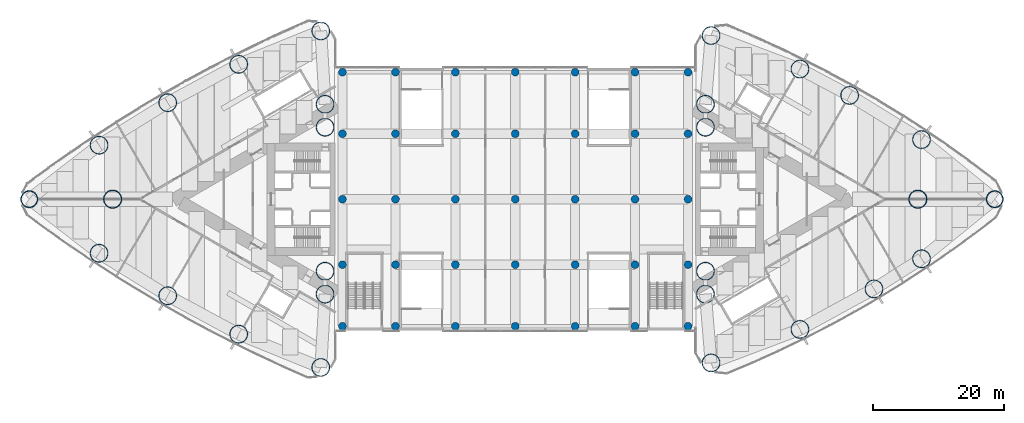
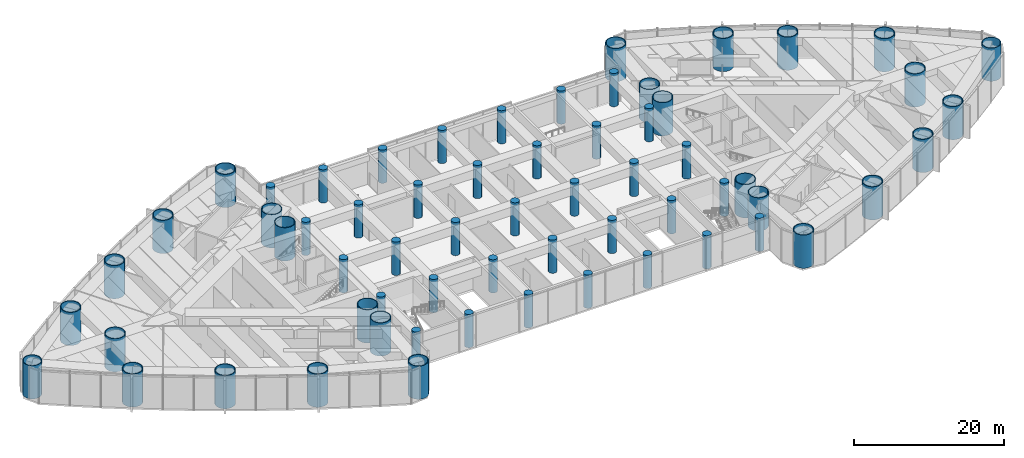
# One storey, part 1 of 20: 63 columns.
"""IFC4 building model written with IfcOpenShell, lengths in metres."""

from ifc_helpers import new_model, si_unit, direction, frame, origin, origin_2d, place, context, subcontext, project, spatial, circle, hollow_circle, extrude, material, material_profile, profile_set, type_object, element, save


model = new_model("IFC4")

# Units and contexts
model_context = context("Model", 3, precision=1e-05, world=origin(), true_north=direction((0.0, 1.0)))
body_context = subcontext(model_context, "Body", "Model", "MODEL_VIEW")
ifc_project = project(units=[si_unit("LENGTHUNIT", "METRE"), si_unit("AREAUNIT", "SQUARE_METRE"), si_unit("VOLUMEUNIT", "CUBIC_METRE"), si_unit("PLANEANGLEUNIT", "RADIAN"), si_unit("MASSUNIT", "GRAM", prefix="KILO")], contexts=[model_context])

# Site, building, storey
site_placement = place(None, origin())
site = spatial("IfcSite", under=ifc_project, at=site_placement, CompositionType="ELEMENT")
building_placement = place(site_placement, origin())
building = spatial("IfcBuilding", under=site, at=building_placement, Name="Lancet Gate Hotel", CompositionType="ELEMENT")
storey_placement = place(building_placement, frame((0.0, 0.0, 7.199951171875)))
storey = spatial("IfcBuildingStorey", under=building, at=storey_placement, Name="L01", CompositionType="ELEMENT", Elevation=7.199951171875)

# Columns
ifc_material_1 = material(Name="Composite filled tube, grade 460 plate, grade 80/95 fill", Category="composite")
ifc_material_profile_1 = material_profile(ifc_material_1, hollow_circle(Radius=1.39990234375, WallThickness=0.10009765625, at=origin_2d()), Name="CHS 2800x100")
ifc_profile_set_1 = profile_set([ifc_material_profile_1], Name="Composite filled tube, grade 460 plate, grade 80/95 fill")
column_type_1 = type_object("IfcColumnType", Name="Apex column CFT CHS 2800x100", PredefinedType="COLUMN", material=ifc_profile_set_1)
for number, where, z_axis, x_axis, name in (
    (1, (-61.5, 0.0, 0.0), (0.0, 0.0, 1.0), (1.0, 0.0, 0.0), "T1 column AX L01"),
    (2, (61.5, 0.0, 0.0), (0.0, 0.0, 1.0), (1.0, 0.0, 0.0), "T2 column AX L01"),
):
    element("IfcColumn", number, at=place(storey_placement, frame(where, z_axis=z_axis, x_axis=x_axis)), inside=storey, type_object=column_type_1, Name=name, PredefinedType="COLUMN", context=body_context, shape_type="SweptSolid", body=[
        extrude(hollow_circle(Radius=1.39990234375, WallThickness=0.10009765625, at=origin_2d()), origin(), (0.0, 0.0, 1.0), 5.400146484375),
    ])
ifc_material_2 = material(Name="Composite filled tube, grade 460 plate, grade 80/95 fill", Category="composite")
ifc_material_profile_2 = material_profile(ifc_material_2, hollow_circle(Radius=1.300048828125, WallThickness=0.10009765625, at=origin_2d()), Name="CHS 2600x100")
ifc_profile_set_2 = profile_set([ifc_material_profile_2], Name="Composite filled tube, grade 460 plate, grade 80/95 fill")
column_type_2 = type_object("IfcColumnType", Name="Apex corner column CFT CHS 2600x100", PredefinedType="COLUMN", material=ifc_profile_set_2)
for number, where, z_axis, x_axis, name in (
    (3, (-74.235107421875, 0.0, 0.0), (0.0, 0.0, 1.0), (1.0, 0.0, 0.0), "T1 column CA L01"),
    (4, (73.2392578125, 0.0, 0.0), (0.0, 0.0, 1.0), (1.0, 0.0, 0.0), "T2 column CA L01"),
):
    element("IfcColumn", number, at=place(storey_placement, frame(where, z_axis=z_axis, x_axis=x_axis)), inside=storey, type_object=column_type_2, Name=name, PredefinedType="COLUMN", context=body_context, shape_type="SweptSolid", body=[
        extrude(hollow_circle(Radius=1.300048828125, WallThickness=0.10009765625, at=origin_2d()), origin(), (0.0, 0.0, 1.0), 5.400146484375),
    ])
ifc_material_3 = material(Name="Composite filled tube, grade 460 plate, grade 80/95 fill", Category="composite")
ifc_material_profile_3 = material_profile(ifc_material_3, hollow_circle(Radius=1.39990234375, WallThickness=0.1201171875, at=origin_2d()), Name="CHS 2800x120")
ifc_profile_set_3 = profile_set([ifc_material_profile_3], Name="Composite filled tube, grade 460 plate, grade 80/95 fill")
column_type_3 = type_object("IfcColumnType", Name="Perimeter column CFT CHS 2800x120", PredefinedType="COLUMN", material=ifc_profile_set_3)
for number, where, z_axis, x_axis, name in (
    (5, (-29.703369140625, -25.70263671875, 0.0), (0.0, 0.0, 1.0), (1.0, 0.0, 0.0), "T1 column CN L01"),
    (6, (-29.703369140625, 25.70263671875, 0.0), (0.0, 0.0, 1.0), (1.0, 0.0, 0.0), "T1 column CS L01"),
    (7, (-29.050048828125, -11.0, 0.0), (0.0, 0.0, 1.0), (1.0, 0.0, 0.0), "T1 column IN L01"),
    (8, (-29.050048828125, 11.0, 0.0), (0.0, 0.0, 1.0), (1.0, 0.0, 0.0), "T1 column IS L01"),
    (9, (-29.050048828125, 14.5, 0.0), (0.0, 0.0, 1.0), (1.0, 0.0, 0.0), "T1 column IT L01"),
    (10, (-29.050048828125, -14.5, 0.0), (0.0, 0.0, 1.0), (1.0, 0.0, 0.0), "T1 column JT L01"),
    (11, (-63.57177734375, -8.255126953125, 0.0), (0.0, 0.0, 1.0), (1.0, 0.0, 0.0), "T1 column ON1 L01"),
    (12, (-53.090087890625, -14.744873046875, 0.0), (0.0, 0.0, 1.0), (1.0, 0.0, 0.0), "T1 column ON2 L01"),
    (13, (-42.2451171875, -20.607421875, 0.0), (0.0, 0.0, 1.0), (1.0, 0.0, 0.0), "T1 column ON3 L01"),
    (14, (-42.2451171875, 20.607421875, 0.0), (0.0, 0.0, 1.0), (1.0, 0.0, 0.0), "T1 column OS1 L01"),
    (15, (-53.090087890625, 14.744873046875, 0.0), (0.0, 0.0, 1.0), (1.0, 0.0, 0.0), "T1 column OS2 L01"),
    (16, (-63.57177734375, 8.255126953125, 0.0), (0.0, 0.0, 1.0), (1.0, 0.0, 0.0), "T1 column OS3 L01"),
    (17, (29.9111328125, 25.00244140625, 0.0), (0.0, 0.0, 1.0), (1.0, 0.0, 0.0), "T2 column CN L01"),
    (18, (29.9111328125, -25.00244140625, 0.0), (0.0, 0.0, 1.0), (1.0, 0.0, 0.0), "T2 column CS L01"),
    (19, (29.050048828125, 11.0, 0.0), (0.0, 0.0, 1.0), (1.0, 0.0, 0.0), "T2 column IN L01"),
    (20, (29.050048828125, -11.0, 0.0), (0.0, 0.0, 1.0), (1.0, 0.0, 0.0), "T2 column IS L01"),
    (21, (29.050048828125, -14.5, 0.0), (0.0, 0.0, 1.0), (1.0, 0.0, 0.0), "T2 column IT L01"),
    (22, (29.050048828125, 14.5, 0.0), (0.0, 0.0, 1.0), (1.0, 0.0, 0.0), "T2 column JT L01"),
    (23, (62.059326171875, 9.10498046875, 0.0), (0.0, 0.0, 1.0), (1.0, 0.0, 0.0), "T2 column ON1 L01"),
    (24, (51.07763671875, 15.8583984375, 0.0), (0.0, 0.0, 1.0), (1.0, 0.0, 0.0), "T2 column ON2 L01"),
    (25, (43.484130859375, 19.886474609375, 0.0), (0.0, 0.0, 1.0), (1.0, 0.0, 0.0), "T2 column ON3 L01"),
    (26, (43.484130859375, -19.886474609375, 0.0), (0.0, 0.0, 1.0), (1.0, 0.0, 0.0), "T2 column OS1 L01"),
    (27, (54.795166015625, -13.70068359375, 0.0), (0.0, 0.0, 1.0), (1.0, 0.0, 0.0), "T2 column OS2 L01"),
    (28, (62.059326171875, -9.10498046875, 0.0), (0.0, 0.0, 1.0), (1.0, 0.0, 0.0), "T2 column OS3 L01"),
):
    element("IfcColumn", number, at=place(storey_placement, frame(where, z_axis=z_axis, x_axis=x_axis)), inside=storey, type_object=column_type_3, Name=name, PredefinedType="COLUMN", context=body_context, shape_type="SweptSolid", body=[
        extrude(hollow_circle(Radius=1.39990234375, WallThickness=0.1201171875, at=origin_2d()), origin(), (0.0, 0.0, 1.0), 5.400146484375),
    ])
ifc_material_4 = material(Name="Concrete C60/75", Category="concrete")
ifc_material_profile_4 = material_profile(ifc_material_4, circle(Radius=0.60009765625, at=origin_2d()), Name="RC D1200")
ifc_profile_set_4 = profile_set([ifc_material_profile_4], Name="Concrete C60/75")
column_type_4 = type_object("IfcColumnType", Name="Podium column RC D1200", PredefinedType="COLUMN", material=ifc_profile_set_4)
for number, where, z_axis, x_axis, name in (
    (29, (-26.39990234375, -19.39990234375, 0.0), (0.0, 0.0, 1.0), (1.0, 0.0, 0.0), "Podium column 1A L01"),
    (30, (-26.39990234375, -10.0, 0.0), (0.0, 0.0, 1.0), (1.0, 0.0, 0.0), "Podium column 1B L01"),
    (31, (-26.39990234375, 0.0, 0.0), (0.0, 0.0, 1.0), (1.0, 0.0, 0.0), "Podium column 1C L01"),
    (32, (-26.39990234375, 10.0, 0.0), (0.0, 0.0, 1.0), (1.0, 0.0, 0.0), "Podium column 1D L01"),
    (33, (-26.39990234375, 19.39990234375, 0.0), (0.0, 0.0, 1.0), (1.0, 0.0, 0.0), "Podium column 1E L01"),
    (34, (-18.300048828125, -19.39990234375, 0.0), (0.0, 0.0, 1.0), (1.0, 0.0, 0.0), "Podium column 2A L01"),
    (35, (-18.300048828125, -10.0, 0.0), (0.0, 0.0, 1.0), (1.0, 0.0, 0.0), "Podium column 2B L01"),
    (36, (-18.300048828125, 0.0, 0.0), (0.0, 0.0, 1.0), (1.0, 0.0, 0.0), "Podium column 2C L01"),
    (37, (-18.300048828125, 10.0, 0.0), (0.0, 0.0, 1.0), (1.0, 0.0, 0.0), "Podium column 2D L01"),
    (38, (-18.300048828125, 19.39990234375, 0.0), (0.0, 0.0, 1.0), (1.0, 0.0, 0.0), "Podium column 2E L01"),
    (39, (-9.14990234375, -19.39990234375, 0.0), (0.0, 0.0, 1.0), (1.0, 0.0, 0.0), "Podium column 3A L01"),
    (40, (-9.14990234375, -10.0, 0.0), (0.0, 0.0, 1.0), (1.0, 0.0, 0.0), "Podium column 3B L01"),
    (41, (-9.14990234375, 0.0, 0.0), (0.0, 0.0, 1.0), (1.0, 0.0, 0.0), "Podium column 3C L01"),
    (42, (-9.14990234375, 10.0, 0.0), (0.0, 0.0, 1.0), (1.0, 0.0, 0.0), "Podium column 3D L01"),
    (43, (-9.14990234375, 19.39990234375, 0.0), (0.0, 0.0, 1.0), (1.0, 0.0, 0.0), "Podium column 3E L01"),
    (44, (0.0, -19.39990234375, 0.0), (0.0, 0.0, 1.0), (1.0, 0.0, 0.0), "Podium column 4A L01"),
    (45, (0.0, -10.0, 0.0), (0.0, 0.0, 1.0), (1.0, 0.0, 0.0), "Podium column 4B L01"),
    (46, (0.0, 0.0, 0.0), (0.0, 0.0, 1.0), (1.0, 0.0, 0.0), "Podium column 4C L01"),
    (47, (0.0, 10.0, 0.0), (0.0, 0.0, 1.0), (1.0, 0.0, 0.0), "Podium column 4D L01"),
    (48, (0.0, 19.39990234375, 0.0), (0.0, 0.0, 1.0), (1.0, 0.0, 0.0), "Podium column 4E L01"),
    (49, (9.14990234375, -19.39990234375, 0.0), (0.0, 0.0, 1.0), (1.0, 0.0, 0.0), "Podium column 5A L01"),
    (50, (9.14990234375, -10.0, 0.0), (0.0, 0.0, 1.0), (1.0, 0.0, 0.0), "Podium column 5B L01"),
    (51, (9.14990234375, 0.0, 0.0), (0.0, 0.0, 1.0), (1.0, 0.0, 0.0), "Podium column 5C L01"),
    (52, (9.14990234375, 10.0, 0.0), (0.0, 0.0, 1.0), (1.0, 0.0, 0.0), "Podium column 5D L01"),
    (53, (9.14990234375, 19.39990234375, 0.0), (0.0, 0.0, 1.0), (1.0, 0.0, 0.0), "Podium column 5E L01"),
    (54, (18.300048828125, -19.39990234375, 0.0), (0.0, 0.0, 1.0), (1.0, 0.0, 0.0), "Podium column 6A L01"),
    (55, (18.300048828125, -10.0, 0.0), (0.0, 0.0, 1.0), (1.0, 0.0, 0.0), "Podium column 6B L01"),
    (56, (18.300048828125, 0.0, 0.0), (0.0, 0.0, 1.0), (1.0, 0.0, 0.0), "Podium column 6C L01"),
    (57, (18.300048828125, 10.0, 0.0), (0.0, 0.0, 1.0), (1.0, 0.0, 0.0), "Podium column 6D L01"),
    (58, (18.300048828125, 19.39990234375, 0.0), (0.0, 0.0, 1.0), (1.0, 0.0, 0.0), "Podium column 6E L01"),
    (59, (26.39990234375, -19.39990234375, 0.0), (0.0, 0.0, 1.0), (1.0, 0.0, 0.0), "Podium column 7A L01"),
    (60, (26.39990234375, -10.0, 0.0), (0.0, 0.0, 1.0), (1.0, 0.0, 0.0), "Podium column 7B L01"),
    (61, (26.39990234375, 0.0, 0.0), (0.0, 0.0, 1.0), (1.0, 0.0, 0.0), "Podium column 7C L01"),
    (62, (26.39990234375, 10.0, 0.0), (0.0, 0.0, 1.0), (1.0, 0.0, 0.0), "Podium column 7D L01"),
    (63, (26.39990234375, 19.39990234375, 0.0), (0.0, 0.0, 1.0), (1.0, 0.0, 0.0), "Podium column 7E L01"),
):
    element("IfcColumn", number, at=place(storey_placement, frame(where, z_axis=z_axis, x_axis=x_axis)), inside=storey, type_object=column_type_4, Name=name, PredefinedType="COLUMN", context=body_context, shape_type="SweptSolid", body=[
        extrude(circle(Radius=0.60009765625, at=origin_2d()), origin(), (0.0, 0.0, 1.0), 5.400146484375),
    ])

save(model, "model.ifc")
